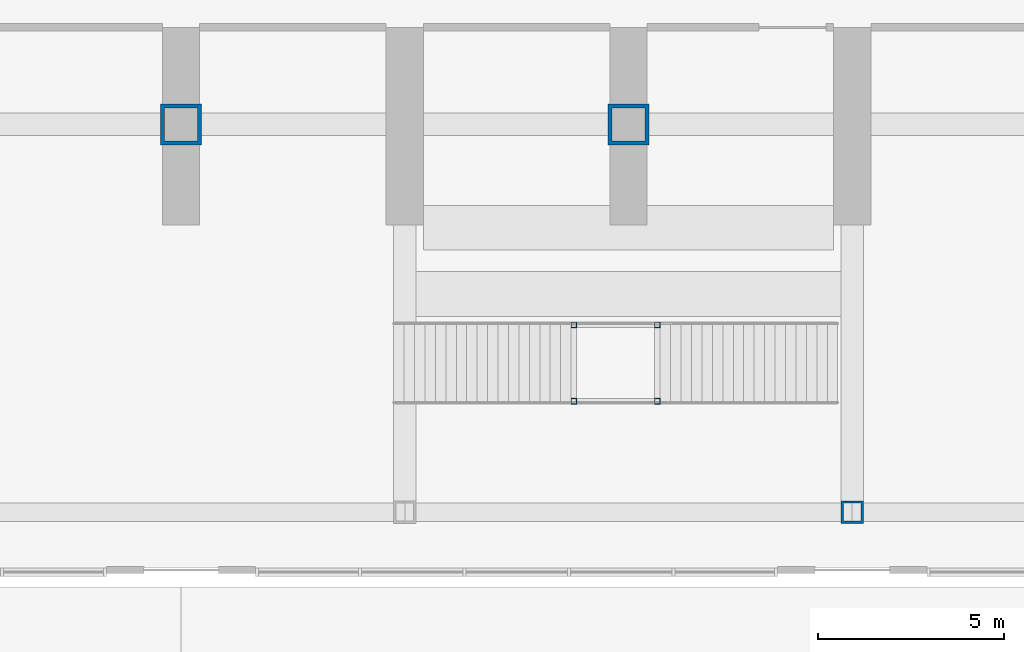
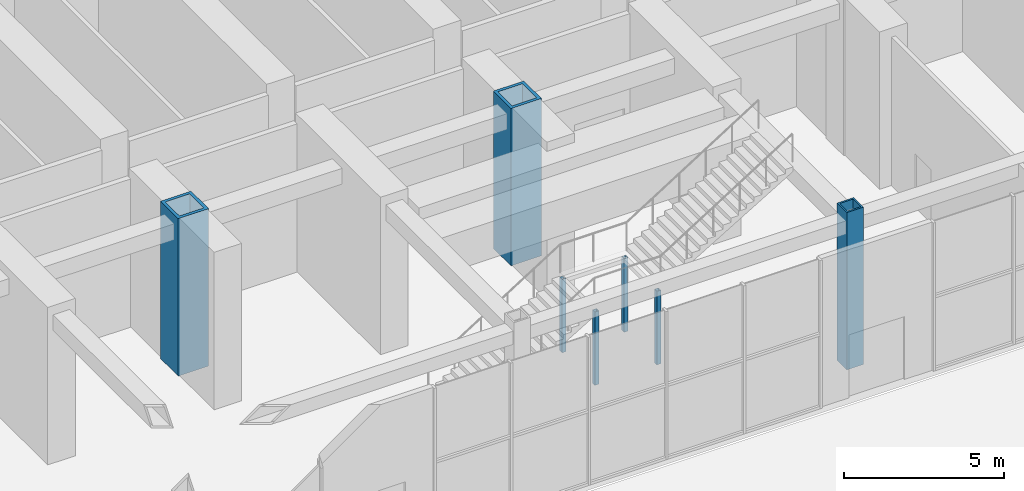
# One storey, part 5 of 57: 7 columns.
"""IFC4 building model written with IfcOpenShell, lengths in metres."""

import ifcopenshell
import ifcopenshell.guid

model = None  # the IFC model being written
_history = None  # IfcOwnerHistory: only IFC2X3 demands one
_inside = {}  # id of a spatial element -> (the spatial element, [elements in it])
_under = {}  # id of a project, library or spatial element -> (it, [spatial elements below it])
_declared = {}  # id of a project -> (the project, [libraries it declares])
_typed = {}  # id of a type object -> (the type object, [elements of that type])
_made_of = {}  # id of a material, layer set ... -> (it, [elements and type objects made of it])


def new_model(schema):
    """Start an empty IFC model of exactly this schema.

    Asked for "IFC4X3", IfcOpenShell would pick the latest addendum, in which some entities
    have other attributes; the version numbers below select the first issue.
    IFC2X3 requires an IfcOwnerHistory on every rooted entity: one is made here for all.
    """
    global model, _history
    if schema == "IFC4X3":
        model = ifcopenshell.file(schema_version=(4, 3, 0, 0))
    else:
        model = ifcopenshell.file(schema=schema)
    _inside.clear()
    _under.clear()
    _declared.clear()
    _typed.clear()
    _made_of.clear()
    _history = None
    if model.schema == "IFC2X3":
        org = make("IfcOrganization", Name="unknown")
        user = make(
            "IfcPersonAndOrganization",
            ThePerson=make("IfcPerson", FamilyName="unknown"),
            TheOrganization=org,
        )
        app = make(
            "IfcApplication",
            ApplicationDeveloper=org,
            Version="unknown",
            ApplicationFullName="unknown",
            ApplicationIdentifier="unknown",
        )
        _history = make(
            "IfcOwnerHistory",
            OwningUser=user,
            OwningApplication=app,
            ChangeAction="ADDED",
            CreationDate=0,
        )
    return model


def make(cls, **values):
    """One entity of the class cls with the attributes given. An attribute that is None is left unset."""
    return model.create_entity(
        cls, **{name: value for name, value in values.items() if value is not None}
    )


def rooted(cls, **values):
    """An entity with a GlobalId (a new one), such as an element, a storey or a relation."""
    return make(cls, GlobalId=ifcopenshell.guid.new(), OwnerHistory=_history, **values)


def si_unit(unit_type, name, prefix=None):
    """IfcSIUnit, for example si_unit("LENGTHUNIT", "METRE", prefix="MILLI")."""
    return make("IfcSIUnit", UnitType=unit_type, Prefix=prefix, Name=name)


def assignment(units):
    """IfcUnitAssignment: the units of a project."""
    return None if units is None else make("IfcUnitAssignment", Units=units)


def point(xyz):
    """IfcCartesianPoint."""
    return None if xyz is None else make("IfcCartesianPoint", Coordinates=xyz)


def direction(xyz):
    """IfcDirection."""
    return None if xyz is None else make("IfcDirection", DirectionRatios=xyz)


def frame(location, z_axis=None, x_axis=None):
    """IfcAxis2Placement3D, a coordinate frame: its origin and axes. An axis left out is left unset."""
    return make(
        "IfcAxis2Placement3D",
        Location=point(location),
        Axis=direction(z_axis),
        RefDirection=direction(x_axis),
    )


def frame_2d(location, x_axis=None):
    """IfcAxis2Placement2D, a coordinate frame in the plane: its origin and x axis."""
    return make(
        "IfcAxis2Placement2D", Location=point(location), RefDirection=direction(x_axis)
    )


def origin():
    """The frame at (0, 0, 0) with its axes left unset."""
    return frame((0.0, 0.0, 0.0))


def origin_2d():
    """The frame at (0, 0) in the plane with its x axis left unset."""
    return frame_2d((0.0, 0.0))


def place(relative_to, where):
    """IfcLocalPlacement: puts the frame where relative to a parent placement (None: the world)."""
    return make(
        "IfcLocalPlacement", PlacementRelTo=relative_to, RelativePlacement=where
    )


def context(
    kind, dimensions, precision=None, world=None, true_north=None, identifier=None
):
    """IfcGeometricRepresentationContext, for example the 3D "Model" context."""
    return make(
        "IfcGeometricRepresentationContext",
        ContextIdentifier=identifier,
        ContextType=kind,
        CoordinateSpaceDimension=dimensions,
        Precision=precision,
        WorldCoordinateSystem=world,
        TrueNorth=true_north,
    )


def subcontext(parent, identifier, kind, view, scale=None):
    """IfcGeometricRepresentationSubContext, for example "Body" below "Model"."""
    return make(
        "IfcGeometricRepresentationSubContext",
        ContextIdentifier=identifier,
        ContextType=kind,
        ParentContext=parent,
        TargetScale=scale,
        TargetView=view,
    )


def project(units=None, contexts=None):
    """IfcProject with its units and contexts."""
    return rooted(
        "IfcProject",
        Name="project",
        RepresentationContexts=contexts,
        UnitsInContext=assignment(units),
    )


def spatial(cls, under=None, at=None, **own):
    """A site, building, storey or space (cls), placed at a placement, below another one or the project."""
    s = rooted(cls, ObjectPlacement=at, **own)
    if under is not None:
        _under.setdefault(under.id(), (under, []))[1].append(s)
    return s


def profile(cls, at=None, kind="AREA", **sizes):
    """A parametric profile (cls). Its sizes go by their IFC names, for example OverallWidth=200.0."""
    return make(cls, ProfileType=kind, Position=at, **sizes)


def hollow_rectangle(**sizes):
    """IfcRectangleHollowProfileDef."""
    return profile("IfcRectangleHollowProfileDef", **sizes)


def extrude(swept, where, along, depth):
    """IfcExtrudedAreaSolid: the profile swept, set in the frame where, extruded along a direction by depth."""
    return make(
        "IfcExtrudedAreaSolid",
        SweptArea=swept,
        Position=where,
        ExtrudedDirection=direction(along),
        Depth=depth,
    )


def shape(context_of_items, identifier, shape_type, items):
    """IfcShapeRepresentation: the items that make up one representation, for example the "Body"."""
    return make(
        "IfcShapeRepresentation",
        ContextOfItems=context_of_items,
        RepresentationIdentifier=identifier,
        RepresentationType=shape_type,
        Items=items,
    )


def material(Name=None, Category=None):
    """IfcMaterial."""
    return make("IfcMaterial", Name=Name, Category=Category)


def material_profile(
    of_material, cross_section, Name=None, Category=None, Priority=None
):
    """IfcMaterialProfile: a cross section and its material."""
    return make(
        "IfcMaterialProfile",
        Name=Name,
        Material=of_material,
        Profile=cross_section,
        Priority=Priority,
        Category=Category,
    )


def profile_set(profiles, Name=None, composite=None):
    """IfcMaterialProfileSet."""
    return make(
        "IfcMaterialProfileSet",
        Name=Name,
        MaterialProfiles=profiles,
        CompositeProfile=composite,
    )


def made_of(thing, what):
    """Note that an element or type object is made of a material, layer set ...; save() writes the relation."""
    if what is not None:
        _made_of.setdefault(what.id(), (what, []))[1].append(thing)
    return thing


def type_object(cls, material=None, **own):
    """A type object (cls), such as IfcWallType, which elements share."""
    return made_of(rooted(cls, **own), material)


def element(
    cls,
    number,
    at=None,
    inside=None,
    cuts=None,
    type_object=None,
    material=None,
    context=None,
    identifier="Body",
    shape_type=None,
    held_by="IfcProductDefinitionShape",
    body=None,
    shapes=None,
    **own,
):
    """One element of the class cls, such as IfcWall. Its Tag is "e" and its number.

    at: its placement. inside: the storey or other place that contains it. cuts: it is an
    opening in that element (IfcRelVoidsElement). A single representation is given by context,
    identifier, shape_type and body (its items); several are given by shapes. held_by: the class
    of the entity that holds the representations. save() writes the other relations.
    """
    e = rooted(cls, Tag="e%d" % number, ObjectPlacement=at, **own)
    if body is not None:
        shapes = [shape(context, identifier, shape_type, body)]
    if shapes is not None:
        e.Representation = make(held_by, Representations=shapes)
    if inside is not None:
        _inside.setdefault(inside.id(), (inside, []))[1].append(e)
    if cuts is not None:
        rooted(
            "IfcRelVoidsElement", RelatingBuildingElement=cuts, RelatedOpeningElement=e
        )
    if type_object is not None:
        _typed.setdefault(type_object.id(), (type_object, []))[1].append(e)
    return made_of(e, material)


def aggregate(whole, parts):
    """IfcRelAggregates: a whole, such as a stair, and the parts it consists of."""
    return rooted("IfcRelAggregates", RelatingObject=whole, RelatedObjects=parts)


def save(model, path):
    """Write the relations noted so far, then the file.

    IfcRelAggregates (storeys below a building ...), IfcRelContainedInSpatialStructure (elements
    in a storey), IfcRelDefinesByType, IfcRelAssociatesMaterial and IfcRelDeclares: one each for
    every whole, place, type object, material and project.
    """
    for whole, parts in _under.values():
        aggregate(whole, parts)
    for where, things in _inside.values():
        rooted(
            "IfcRelContainedInSpatialStructure",
            RelatedElements=things,
            RelatingStructure=where,
        )
    for kind, things in _typed.values():
        rooted("IfcRelDefinesByType", RelatedObjects=things, RelatingType=kind)
    for what, things in _made_of.values():
        rooted("IfcRelAssociatesMaterial", RelatedObjects=things, RelatingMaterial=what)
    for by, libraries in _declared.values():
        rooted("IfcRelDeclares", RelatingContext=by, RelatedDefinitions=libraries)
    model.write(path)


model = new_model("IFC4")

# Units and contexts
model_context = context("Model", 3, precision=1e-05, world=origin(), true_north=direction((0.0, 1.0)))
body_context = subcontext(model_context, "Body", "Model", "MODEL_VIEW")
ifc_project = project(units=[si_unit("LENGTHUNIT", "METRE"), si_unit("AREAUNIT", "SQUARE_METRE"), si_unit("VOLUMEUNIT", "CUBIC_METRE"), si_unit("PLANEANGLEUNIT", "RADIAN"), si_unit("MASSUNIT", "GRAM", prefix="KILO")], contexts=[model_context])

# Site, building, storey
site_placement = place(None, origin())
site = spatial("IfcSite", under=ifc_project, at=site_placement, CompositionType="ELEMENT")
building_placement = place(site_placement, origin())
building = spatial("IfcBuilding", under=site, at=building_placement, Name="Orbita Commons", CompositionType="ELEMENT")
storey_placement = place(building_placement, origin())
storey = spatial("IfcBuildingStorey", under=building, at=storey_placement, Name="L00", CompositionType="ELEMENT", Elevation=0.0)

# Columns
ifc_material_1 = material(Name="Steel ASTM A992", Category="steel")
ifc_material_profile_1 = material_profile(ifc_material_1, hollow_rectangle(XDim=0.14990234375, YDim=0.14990234375, WallThickness=0.008056640625, at=origin_2d()), Name="SHS 150x150x8")
ifc_profile_set_1 = profile_set([ifc_material_profile_1], Name="Steel ASTM A992")
column_type_1 = type_object("IfcColumnType", Name="Landing post SHS 150x150x8", PredefinedType="COLUMN", material=ifc_profile_set_1)
for number, where, z_axis, x_axis, name in (
    (1, (52.534912109375, 2.97509765625, 0.0), (0.0, 0.0, 1.0), (1.0, 0.0, 0.0), "Grand stair L00 to L01 landing post 1"),
    (2, (54.77490234375, 2.97509765625, 0.0), (0.0, 0.0, 1.0), (1.0, 0.0, 0.0), "Grand stair L00 to L01 landing post 2"),
    (3, (52.534912109375, 5.02490234375, 0.0), (0.0, 0.0, 1.0), (1.0, 0.0, 0.0), "Grand stair L00 to L01 landing post 3"),
    (4, (54.77490234375, 5.02490234375, 0.0), (0.0, 0.0, 1.0), (1.0, 0.0, 0.0), "Grand stair L00 to L01 landing post 4"),
):
    element("IfcColumn", number, at=place(storey_placement, frame(where, z_axis=z_axis, x_axis=x_axis)), inside=storey, type_object=column_type_1, Name=name, PredefinedType="COLUMN", context=body_context, shape_type="SweptSolid", body=[
        extrude(hollow_rectangle(XDim=0.14990234375, YDim=0.14990234375, WallThickness=0.008056640625, at=origin_2d()), origin(), (0.0, 0.0, 1.0), 2.800048828125),
    ])
ifc_material_2 = material(Name="Steel ASTM A572 Gr 42 welded plate", Category="steel")
ifc_material_profile_2 = material_profile(ifc_material_2, hollow_rectangle(XDim=1.10009765625, YDim=1.10009765625, WallThickness=0.110107421875, at=origin_2d()), Name="BOX 1100x1100x110")
ifc_profile_set_2 = profile_set([ifc_material_profile_2], Name="Steel ASTM A572 Gr 42 welded plate")
column_type_2 = type_object("IfcColumnType", Name="Steel column BOX 1100x1100x110", PredefinedType="COLUMN", material=ifc_profile_set_2)
for number, where, z_axis, x_axis, name in (
    (5, (42.0, 10.39990234375, 0.0), (0.0, 0.0, 1.0), (1.0, 0.0, 0.0), "Column 8/B L00"),
    (6, (54.0, 10.39990234375, 0.0), (0.0, 0.0, 1.0), (1.0, 0.0, 0.0), "Column 10/B L00"),
):
    element("IfcColumn", number, at=place(storey_placement, frame(where, z_axis=z_axis, x_axis=x_axis)), inside=storey, type_object=column_type_2, Name=name, PredefinedType="COLUMN", context=body_context, shape_type="SweptSolid", body=[
        extrude(hollow_rectangle(XDim=1.10009765625, YDim=1.10009765625, WallThickness=0.110107421875, at=origin_2d()), origin(), (0.0, 0.0, 1.0), 6.0),
    ])
ifc_material_3 = material(Name="Steel ASTM A572 Gr 50 welded plate", Category="steel")
ifc_material_profile_3 = material_profile(ifc_material_3, hollow_rectangle(XDim=0.60009765625, YDim=0.60009765625, WallThickness=0.06005859375, at=origin_2d()), Name="BOX 600x600x60")
ifc_profile_set_3 = profile_set([ifc_material_profile_3], Name="Steel ASTM A572 Gr 50 welded plate")
column_type_3 = type_object("IfcColumnType", Name="Steel column BOX 600x600x60", PredefinedType="COLUMN", material=ifc_profile_set_3)
column_placement = place(storey_placement, frame((60.0, 0.0, 0.0), z_axis=(0.0, 0.0, 1.0), x_axis=(1.0, 0.0, 0.0)))
element("IfcColumn", 7, at=column_placement, inside=storey, type_object=column_type_3, Name="Column 11/A L00", PredefinedType="COLUMN", context=body_context, shape_type="SweptSolid", body=[
    extrude(hollow_rectangle(XDim=0.60009765625, YDim=0.60009765625, WallThickness=0.06005859375, at=origin_2d()), origin(), (0.0, 0.0, 1.0), 6.0),
])

save(model, "model.ifc")
